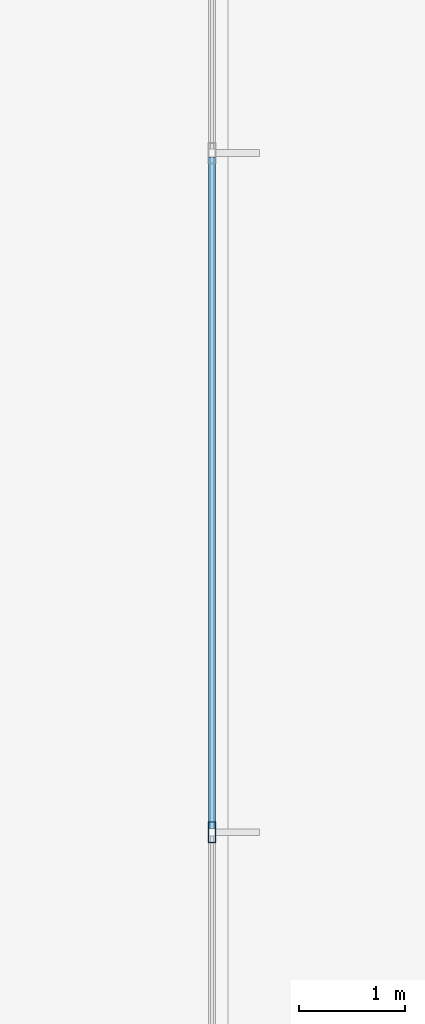
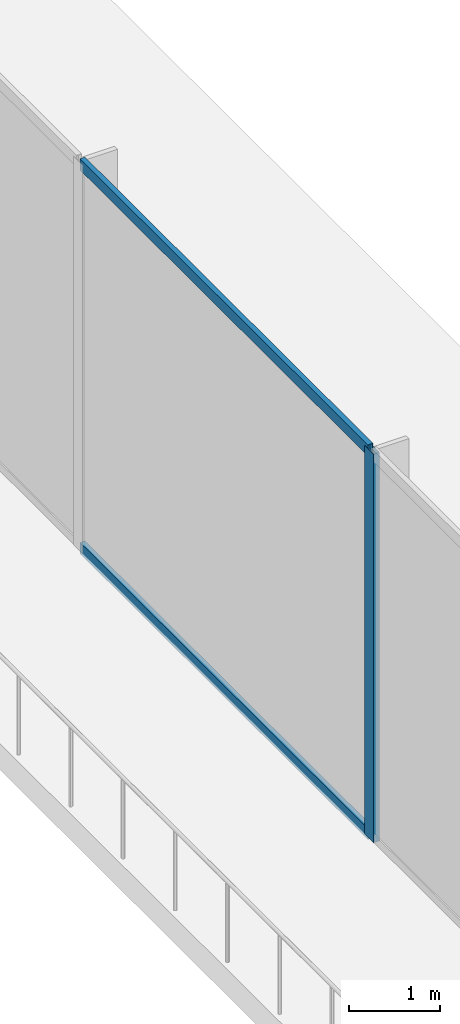
# One storey, part 17 of 38: 3 members, 1 element without a shape of its own.
"""IFC4 building model written with IfcOpenShell, lengths in metres."""

from ifc_helpers import new_model, si_unit, direction, frame, origin, origin_2d, place, context, subcontext, project, spatial, hollow_rectangle, extrude, material, layer, layer_set, material_profile, profile_set, type_object, element, aggregate, save


model = new_model("IFC4")

# Units and contexts
model_context = context("Model", 3, precision=1e-05, world=origin(), true_north=direction((0.0, 1.0)))
body_context = subcontext(model_context, "Body", "Model", "MODEL_VIEW")
ifc_project = project(units=[si_unit("LENGTHUNIT", "METRE"), si_unit("AREAUNIT", "SQUARE_METRE"), si_unit("VOLUMEUNIT", "CUBIC_METRE"), si_unit("PLANEANGLEUNIT", "RADIAN"), si_unit("MASSUNIT", "GRAM", prefix="KILO")], contexts=[model_context])

# Site, building, storey
site_placement = place(None, origin())
site = spatial("IfcSite", under=ifc_project, at=site_placement, CompositionType="ELEMENT")
building_placement = place(site_placement, origin())
building = spatial("IfcBuilding", under=site, at=building_placement, Name="Orvanel Arch Residences", CompositionType="ELEMENT")
storey_placement = place(building_placement, origin())
storey = spatial("IfcBuildingStorey", under=building, at=storey_placement, Name="L00", CompositionType="ELEMENT", Elevation=0.0)

# Curtain wall, members
ifc_material = material(Name="Bronze-anodised aluminium AA6063-T6", Category="aluminium")
ifc_layer = layer(ifc_material, 0.199951171875)
ifc_layer_set = layer_set([ifc_layer], Name="Bronze-anodised aluminium AA6063-T6")
curtain_wall_type = type_object("IfcCurtainWallType", Name="CW1-POD-SYS", PredefinedType="NOTDEFINED", material=ifc_layer_set)
curtain_wall_placement = place(storey_placement, origin())
curtain_wall = element("IfcCurtainWall", 1, at=curtain_wall_placement, inside=storey, type_object=curtain_wall_type, Name="L00 CW1-POD-SYS Unitised Curtain Wall", PredefinedType="NOTDEFINED")
ifc_material_profile_1 = material_profile(ifc_material, hollow_rectangle(XDim=0.074951171875, YDim=0.199951171875, WallThickness=0.0048828125, at=origin_2d()), Name="ALU200x75x5")
ifc_profile_set_1 = profile_set([ifc_material_profile_1], Name="Bronze-anodised aluminium AA6063-T6")
member_type_1 = type_object("IfcMemberType", Name="MUL-200x75", PredefinedType="MULLION", material=ifc_profile_set_1)
member_1_placement = place(storey_placement, frame((64.449951171875, 27.52490234375, 0.0), z_axis=(0.0, 0.0, 1.0), x_axis=(-1.0, 0.0, 0.0)))
member_1 = element("IfcMember", 2, at=member_1_placement, type_object=member_type_1, Name="CW-S1 mullion 5", PredefinedType="MULLION", context=body_context, shape_type="SweptSolid", body=[
    extrude(hollow_rectangle(XDim=0.074951171875, YDim=0.199951171875, WallThickness=0.0048828125, at=origin_2d()), origin(), (0.0, 0.0, 1.0), 5.219970703125),
])
ifc_material_profile_2 = material_profile(ifc_material, hollow_rectangle(XDim=0.06494140625, YDim=0.14990234375, WallThickness=0.00390625, at=origin_2d()), Name="ALU150x65x4")
ifc_profile_set_2 = profile_set([ifc_material_profile_2], Name="Bronze-anodised aluminium AA6063-T6")
member_type_2 = type_object("IfcMemberType", Name="TRN-150x65", PredefinedType="USERDEFINED", material=ifc_profile_set_2)
member_2_placement = place(storey_placement, frame((64.449951171875, 27.5625, 0.032470703125), z_axis=(0.0, 1.0, 0.0), x_axis=(-1.0, 0.0, 0.0)))
member_2 = element("IfcMember", 3, at=member_2_placement, type_object=member_type_2, Name="CW-S1 transom 5.1", ObjectType="TRANSOM", PredefinedType="USERDEFINED", context=body_context, shape_type="SweptSolid", body=[
    extrude(hollow_rectangle(XDim=0.06494140625, YDim=0.14990234375, WallThickness=0.00390625, at=origin_2d()), origin(), (0.0, 0.0, 1.0), 6.3388671875),
])
member_3_placement = place(storey_placement, frame((64.449951171875, 27.5625, 5.1875), z_axis=(0.0, 1.0, 0.0), x_axis=(-1.0, 0.0, 0.0)))
member_3 = element("IfcMember", 4, at=member_3_placement, type_object=member_type_2, Name="CW-S1 transom 5.2", ObjectType="TRANSOM", PredefinedType="USERDEFINED", context=body_context, shape_type="SweptSolid", body=[
    extrude(hollow_rectangle(XDim=0.06494140625, YDim=0.14990234375, WallThickness=0.00390625, at=origin_2d()), origin(), (0.0, 0.0, 1.0), 6.3388671875),
])
aggregate(curtain_wall, [member_1, member_2, member_3])

save(model, "model.ifc")
